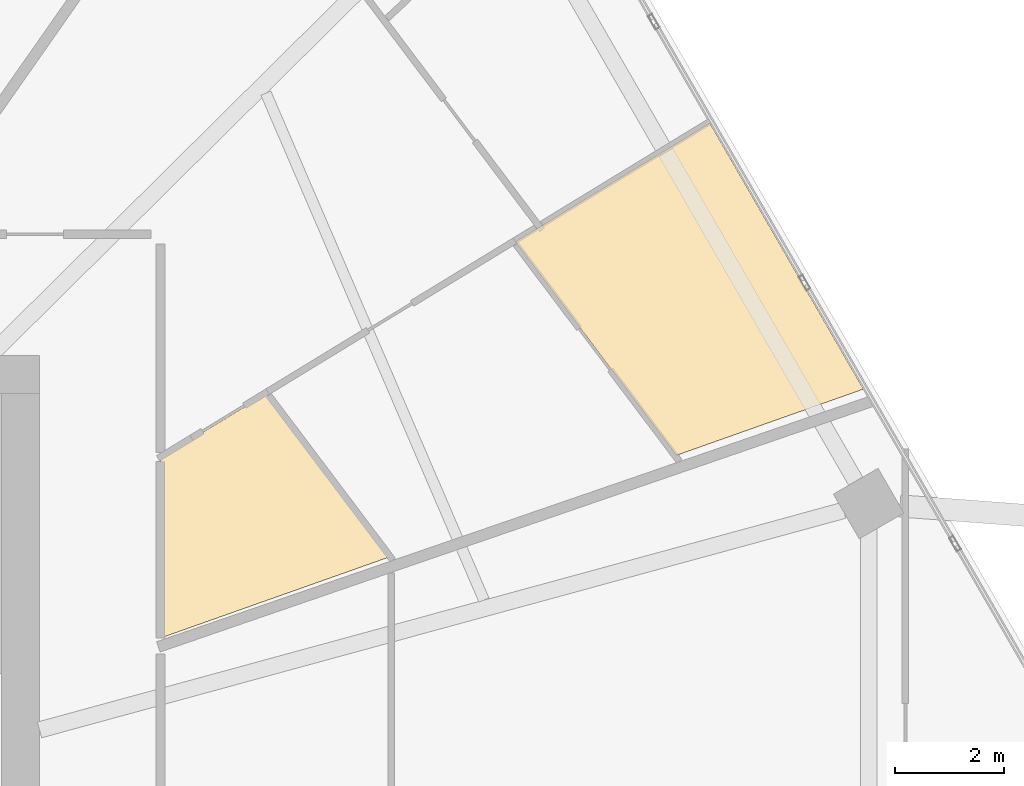
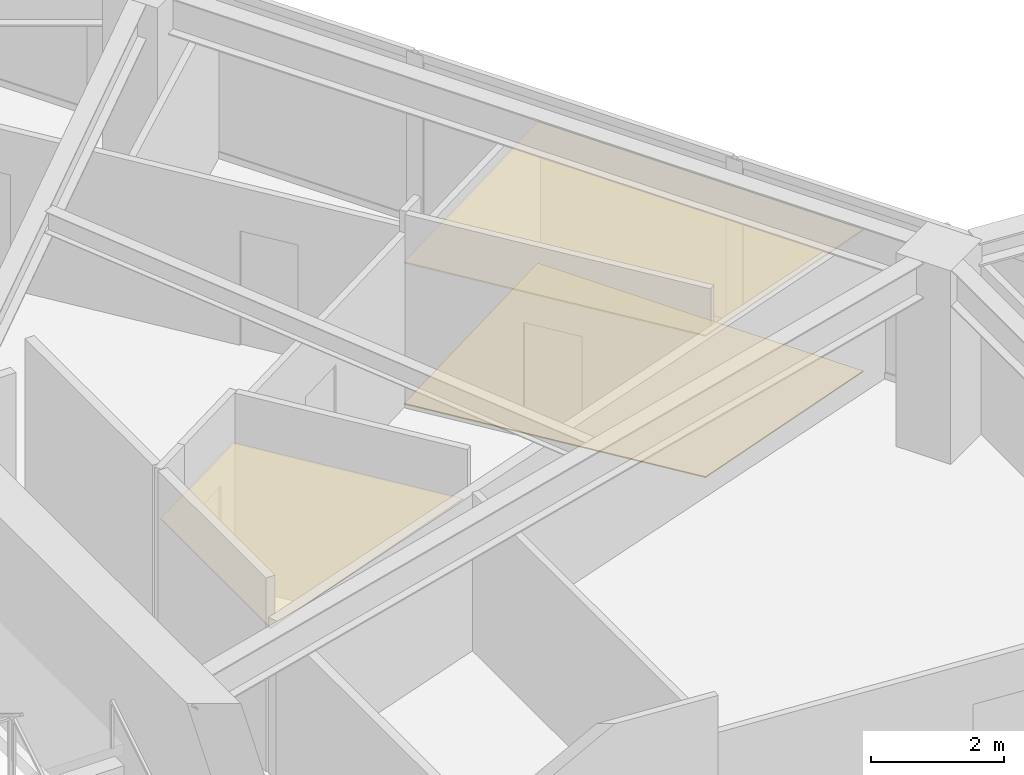
# One storey, part 27 of 27: 3 coverings.
"""IFC4 building model written with IfcOpenShell, lengths in metres."""

from ifc_helpers import new_model, si_unit, direction, frame, origin, place, context, subcontext, project, spatial, polyline, outline, extrude, material, layer, layer_set, type_object, element, save


model = new_model("IFC4")

# Units and contexts
model_context = context("Model", 3, precision=1e-05, world=origin(), true_north=direction((0.0, 1.0)))
body_context = subcontext(model_context, "Body", "Model", "MODEL_VIEW")
ifc_project = project(units=[si_unit("LENGTHUNIT", "METRE"), si_unit("AREAUNIT", "SQUARE_METRE"), si_unit("VOLUMEUNIT", "CUBIC_METRE"), si_unit("PLANEANGLEUNIT", "RADIAN"), si_unit("MASSUNIT", "GRAM", prefix="KILO")], contexts=[model_context])

# Site, building, storey
site_placement = place(None, origin())
site = spatial("IfcSite", under=ifc_project, at=site_placement, CompositionType="ELEMENT")
building_placement = place(site_placement, origin())
building = spatial("IfcBuilding", under=site, at=building_placement, Name="Zuhravey Tower", CompositionType="ELEMENT")
storey_placement = place(building_placement, frame((0.0, 0.0, 218.800048828125)))
storey = spatial("IfcBuildingStorey", under=building, at=storey_placement, Name="L55", CompositionType="ELEMENT", Elevation=218.800048828125)

# Coverings
ifc_material_1 = material(Name="Mineral-fibre acoustic ceiling tile")
ifc_layer_1 = layer(ifc_material_1, 0.02490234375)
ifc_layer_set_1 = layer_set([ifc_layer_1], Name="Mineral-fibre acoustic ceiling tile")
covering_type_1 = type_object("IfcCoveringType", Name="Acoustic Suspended Ceiling", PredefinedType="CEILING", material=ifc_layer_set_1)
covering_1_placement = place(storey_placement, frame((0.0, 0.0, 2.58984375)))
element("IfcCovering", 1, at=covering_1_placement, inside=storey, type_object=covering_type_1, Name="L55 Acoustic Suspended Ceiling CLG1", PredefinedType="CEILING", context=body_context, shape_type="SweptSolid", body=[
    extrude(outline(polyline([(62.01171875, 41.232421875), (58.568603515625, 40.01318359375), (55.606201171875, 43.9443359375), (59.184814453125, 46.128662109375), (62.01171875, 41.232421875)])), origin(), (0.0, 0.0, 1.0), 0.025146484375),
])
ifc_material_2 = material(Name="Porcelain tile finish")
ifc_layer_2 = layer(ifc_material_2, 0.02001953125)
ifc_layer_set_2 = layer_set([ifc_layer_2], Name="Porcelain tile finish")
covering_type_2 = type_object("IfcCoveringType", Name="Apartment Ondol Porcelain Flooring", PredefinedType="FLOORING", material=ifc_layer_set_2)
covering_2_placement = place(storey_placement, origin())
element("IfcCovering", 2, at=covering_2_placement, inside=storey, type_object=covering_type_2, Name="L55 Principal Room Acoustic Flooring", PredefinedType="FLOORING", context=body_context, shape_type="SweptSolid", body=[
    extrude(outline(polyline([(62.01171875, 41.232421875), (58.568603515625, 40.01318359375), (55.606201171875, 43.9443359375), (59.184814453125, 46.128662109375), (62.01171875, 41.232421875)])), origin(), (0.0, 0.0, 1.0), 0.02001953125),
])
ifc_material_3 = material(Name="Moisture-resistant gypsum ceiling board")
ifc_layer_3 = layer(ifc_material_3, 0.02001953125)
ifc_layer_set_3 = layer_set([ifc_layer_3], Name="Moisture-resistant gypsum ceiling board")
covering_type_3 = type_object("IfcCoveringType", Name="Moisture-Resistant Ceiling", PredefinedType="CEILING", material=ifc_layer_set_3)
covering_3_placement = place(storey_placement, frame((0.0, 0.0, 2.58984375)))
element("IfcCovering", 3, at=covering_3_placement, inside=storey, type_object=covering_type_3, Name="L55 Wet-Room Ceiling CLG2", PredefinedType="CEILING", context=body_context, shape_type="SweptSolid", body=[
    extrude(outline(polyline([(51.021728515625, 41.14599609375), (53.285400390625, 38.142333984375), (49.080078125, 36.653076171875), (49.080078125, 39.960693359375), (51.021728515625, 41.14599609375)])), origin(), (0.0, 0.0, 1.0), 0.02001953125),
])

save(model, "model.ifc")
